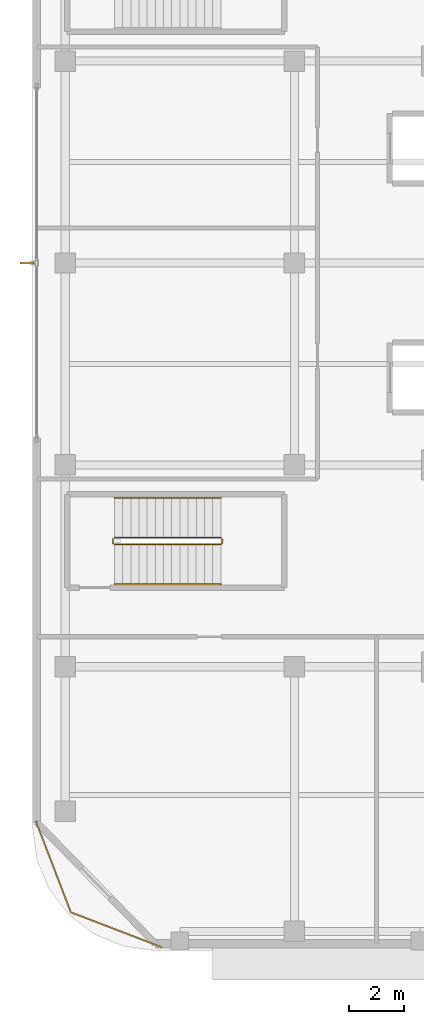
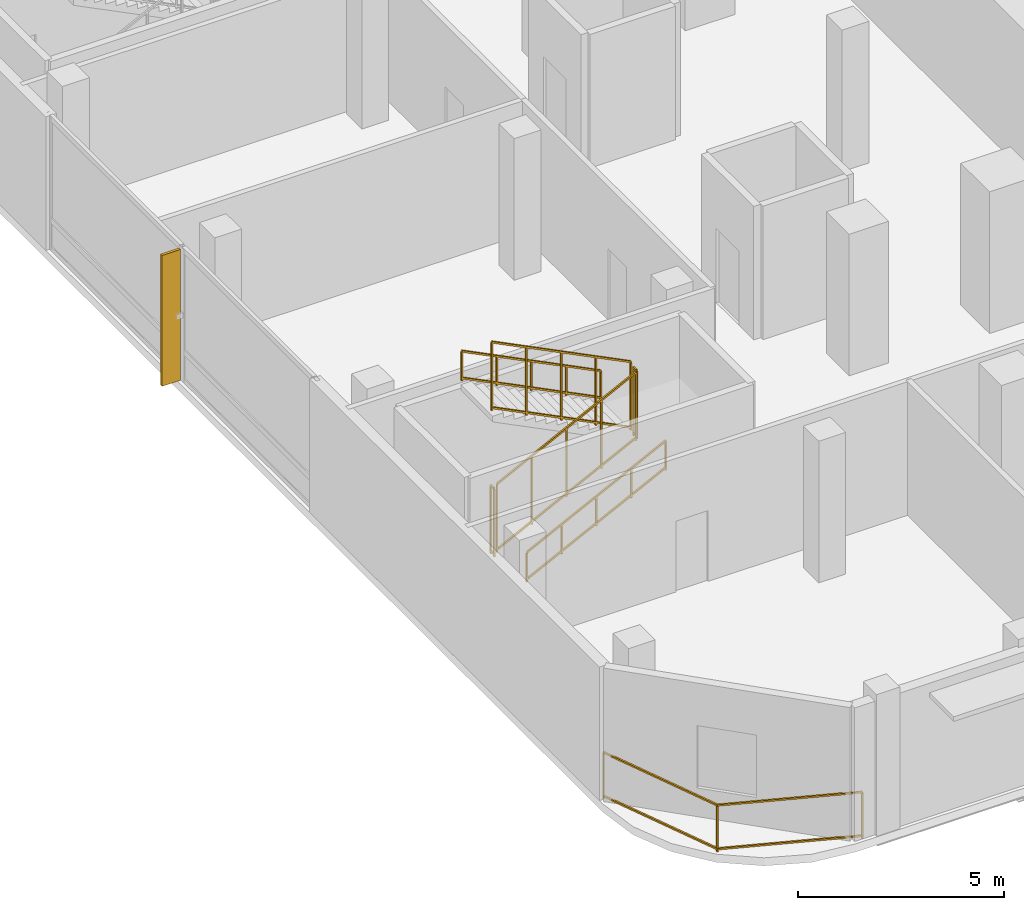
# One storey, part 13 of 19: 7 railings, 1 shading device.
"""IFC4 building model written with IfcOpenShell, lengths in metres."""

from ifc_helpers import new_model, si_unit, direction, frame, origin, origin_2d, place, context, subcontext, project, spatial, rectangle, extrude, material, layer, layer_set, type_object, element, save


model = new_model("IFC4")

# Units and contexts
model_context = context("Model", 3, precision=1e-05, world=origin(), true_north=direction((0.0, 1.0)))
body_context = subcontext(model_context, "Body", "Model", "MODEL_VIEW")
ifc_project = project(units=[si_unit("LENGTHUNIT", "METRE"), si_unit("AREAUNIT", "SQUARE_METRE"), si_unit("VOLUMEUNIT", "CUBIC_METRE"), si_unit("PLANEANGLEUNIT", "RADIAN"), si_unit("MASSUNIT", "GRAM", prefix="KILO")], contexts=[model_context])

# Site, building, storey
site_placement = place(None, origin())
site = spatial("IfcSite", under=ifc_project, at=site_placement, CompositionType="ELEMENT")
building_placement = place(site_placement, origin())
building = spatial("IfcBuilding", under=site, at=building_placement, Name="Khorvyn Point Tower", CompositionType="ELEMENT")
storey_placement = place(building_placement, frame((0.0, 0.0, 17.39990234375)))
storey = spatial("IfcBuildingStorey", under=building, at=storey_placement, Name="L05", CompositionType="ELEMENT", Elevation=17.39990234375)

# Shading device
ifc_material_1 = material(Name="Bronze anodised aluminium 6063-T6", Category="aluminium")
ifc_layer = layer(ifc_material_1, 0.074951171875)
ifc_layer_set = layer_set([ifc_layer], Name="Bronze Anodised Aluminium FIN 520x75")
shading_device_type = type_object("IfcShadingDeviceType", Name="Bronze Anodised Aluminium FIN 520x75", PredefinedType="USERDEFINED", material=ifc_layer_set)
shading_device_placement = place(storey_placement, frame((-33.800048828125, 0.0, 0.0400390625), z_axis=(0.0, 0.0, 1.0), x_axis=(-1.0, 0.0, 0.0)))
element("IfcShadingDevice", 1, at=shading_device_placement, inside=storey, type_object=shading_device_type, Name="L05 Anodised FIN 01", ObjectType="FIN", PredefinedType="USERDEFINED", context=body_context, shape_type="SweptSolid", body=[
    extrude(rectangle(XDim=0.52001953125, YDim=0.074951171875, at=origin_2d()), origin(), (0.0, 0.0, 1.0), 3.8798828125),
])

# Railings
ifc_material_2 = material(Name="Anodised aluminium 6063-T6 and laminated safety glass", Category="aluminium")
railing_type_1 = type_object("IfcRailingType", Name="Laminated Glass and Aluminium Balcony Guardrail 1400", PredefinedType="BALUSTRADE", material=ifc_material_2)
railing_1_placement = place(storey_placement, frame((-33.47412109375, -20.470703125, 0.0)))
element("IfcRailing", 2, at=railing_1_placement, inside=storey, type_object=railing_type_1, Name="L05 Rounded Corner Edge Guardrail SW", PredefinedType="BALUSTRADE", context=body_context, shape_type="SweptSolid", body=[
    extrude(rectangle(XDim=0.048095703125, YDim=0.048095703125, at=origin_2d()), frame((0.0, 0.0, 1.3759765625), z_axis=(0.35841886047, -0.933560882031, 0.0), x_axis=(0.933560882031, 0.35841886047, 0.0)), (0.0, 0.0, 1.0), 3.563232421875),
    extrude(rectangle(XDim=0.048095703125, YDim=0.048095703125, at=origin_2d()), frame((0.0, 0.0, 0.080078125), z_axis=(0.35841886047, -0.933560882031, 0.0), x_axis=(0.933560882031, 0.35841886047, 0.0)), (0.0, 0.0, 1.0), 3.563232421875),
    extrude(rectangle(XDim=0.048095703125, YDim=0.048095703125, at=origin_2d()), frame((1.277099609375, -3.326416015625, 1.3759765625), z_axis=(0.933575007025, -0.358382067435, 0.0), x_axis=(0.358382067435, 0.933575007025, 0.0)), (0.0, 0.0, 1.0), 3.562744140625),
    extrude(rectangle(XDim=0.048095703125, YDim=0.048095703125, at=origin_2d()), frame((1.277099609375, -3.326416015625, 0.080078125), z_axis=(0.933575007025, -0.358382067435, 0.0), x_axis=(0.358382067435, 0.933575007025, 0.0)), (0.0, 0.0, 1.0), 3.562744140625),
    extrude(rectangle(XDim=0.0419921875, YDim=0.0419921875, at=origin_2d()), origin(), (0.0, 0.0, 1.0), 1.351806640625),
    extrude(rectangle(XDim=0.0419921875, YDim=0.0419921875, at=origin_2d()), frame((1.277099609375, -3.326416015625, 0.0)), (0.0, 0.0, 1.0), 1.351806640625),
    extrude(rectangle(XDim=0.0419921875, YDim=0.0419921875, at=origin_2d()), frame((4.603271484375, -4.603271484375, 0.0)), (0.0, 0.0, 1.0), 1.351806640625),
])
ifc_material_3 = material(Name="Stainless steel 1.4301", Category="steel")
railing_type_2 = type_object("IfcRailingType", Name="Stainless Steel 304 Stair Pitch Handrail 900", PredefinedType="HANDRAIL", material=ifc_material_3)
railing_2_placement = place(storey_placement, frame((-30.60009765625, -11.77001953125, 0.150146484375)))
element("IfcRailing", 3, at=railing_2_placement, inside=storey, type_object=railing_type_2, Name="L05 ST-S1 stair handrail 1", PredefinedType="HANDRAIL", context=body_context, shape_type="SweptSolid", body=[
    extrude(rectangle(XDim=0.048095703125, YDim=0.048095703125, at=origin_2d()), frame((0.0, 0.0, 0.8759765625), z_axis=(0.894438388696, 0.0, 0.447191199406), x_axis=(0.0, 1.0, 0.0)), (0.0, 0.0, 1.0), 4.3603515625),
    extrude(rectangle(XDim=0.048095703125, YDim=0.048095703125, at=origin_2d()), frame((0.0, 0.0, 0.080078125), z_axis=(0.894438388696, 0.0, 0.447191199406), x_axis=(0.0, 1.0, 0.0)), (0.0, 0.0, 1.0), 4.3603515625),
    extrude(rectangle(XDim=0.0419921875, YDim=0.0419921875, at=origin_2d()), origin(), (0.0, 0.0, 1.0), 0.851806640625),
    extrude(rectangle(XDim=0.0419921875, YDim=0.0419921875, at=origin_2d()), frame((0.97509765625, 0.0, 0.487548828125)), (0.0, 0.0, 1.0), 0.851806640625),
    extrude(rectangle(XDim=0.0419921875, YDim=0.0419921875, at=origin_2d()), frame((1.9501953125, 0.0, 0.97509765625)), (0.0, 0.0, 1.0), 0.851806640625),
    extrude(rectangle(XDim=0.0419921875, YDim=0.0419921875, at=origin_2d()), frame((2.925048828125, 0.0, 1.46240234375)), (0.0, 0.0, 1.0), 0.851806640625),
    extrude(rectangle(XDim=0.0419921875, YDim=0.0419921875, at=origin_2d()), frame((3.900146484375, 0.0, 1.949951171875)), (0.0, 0.0, 1.0), 0.851806640625),
])
railing_3_placement = place(storey_placement, frame((-26.699951171875, -8.610107421875, 2.25)))
element("IfcRailing", 4, at=railing_3_placement, inside=storey, type_object=railing_type_2, Name="L05 ST-S1 stair handrail 2", PredefinedType="HANDRAIL", context=body_context, shape_type="SweptSolid", body=[
    extrude(rectangle(XDim=0.048095703125, YDim=0.048095703125, at=origin_2d()), frame((0.0, 0.0, 0.8759765625), z_axis=(-0.894415993023, 0.0, 0.447235990752), x_axis=(0.0, -1.0, 0.0)), (0.0, 0.0, 1.0), 4.360595703125),
    extrude(rectangle(XDim=0.048095703125, YDim=0.048095703125, at=origin_2d()), frame((0.0, 0.0, 0.080078125), z_axis=(-0.894415993023, 0.0, 0.447235990752), x_axis=(0.0, -1.0, 0.0)), (0.0, 0.0, 1.0), 4.360595703125),
    extrude(rectangle(XDim=0.0419921875, YDim=0.0419921875, at=origin_2d()), origin(), (0.0, 0.0, 1.0), 0.851806640625),
    extrude(rectangle(XDim=0.0419921875, YDim=0.0419921875, at=origin_2d()), frame((-0.97509765625, 0.0, 0.487548828125)), (0.0, 0.0, 1.0), 0.851806640625),
    extrude(rectangle(XDim=0.0419921875, YDim=0.0419921875, at=origin_2d()), frame((-1.9501953125, 0.0, 0.97509765625)), (0.0, 0.0, 1.0), 0.851806640625),
    extrude(rectangle(XDim=0.0419921875, YDim=0.0419921875, at=origin_2d()), frame((-2.925048828125, 0.0, 1.462646484375)), (0.0, 0.0, 1.0), 0.851806640625),
    extrude(rectangle(XDim=0.0419921875, YDim=0.0419921875, at=origin_2d()), frame((-3.900146484375, 0.0, 1.9501953125)), (0.0, 0.0, 1.0), 0.851806640625),
])
railing_type_3 = type_object("IfcRailingType", Name="Stainless Steel 304 Stair Well Guardrail 1400", PredefinedType="GUARDRAIL", material=ifc_material_3)
railing_4_placement = place(storey_placement, frame((-30.60009765625, -10.320068359375, 0.150146484375)))
element("IfcRailing", 5, at=railing_4_placement, inside=storey, type_object=railing_type_3, Name="L05 ST-S1 stair guard 1", PredefinedType="GUARDRAIL", context=body_context, shape_type="SweptSolid", body=[
    extrude(rectangle(XDim=0.048095703125, YDim=0.048095703125, at=origin_2d()), frame((0.0, 0.0, 2.02587890625), z_axis=(0.894438388696, 0.0, 0.447191199406), x_axis=(0.0, 1.0, 0.0)), (0.0, 0.0, 1.0), 4.3603515625),
    extrude(rectangle(XDim=0.048095703125, YDim=0.048095703125, at=origin_2d()), frame((0.0, 0.0, 0.080078125), z_axis=(0.894438388696, 0.0, 0.447191199406), x_axis=(0.0, 1.0, 0.0)), (0.0, 0.0, 1.0), 4.3603515625),
    extrude(rectangle(XDim=0.0419921875, YDim=0.0419921875, at=origin_2d()), origin(), (0.0, 0.0, 1.0), 2.001953125),
    extrude(rectangle(XDim=0.0419921875, YDim=0.0419921875, at=origin_2d()), frame((0.97509765625, 0.0, 0.487548828125)), (0.0, 0.0, 1.0), 2.001953125),
    extrude(rectangle(XDim=0.0419921875, YDim=0.0419921875, at=origin_2d()), frame((1.9501953125, 0.0, 0.97509765625)), (0.0, 0.0, 1.0), 2.001953125),
    extrude(rectangle(XDim=0.0419921875, YDim=0.0419921875, at=origin_2d()), frame((2.925048828125, 0.0, 1.46240234375)), (0.0, 0.0, 1.0), 2.001953125),
    extrude(rectangle(XDim=0.0419921875, YDim=0.0419921875, at=origin_2d()), frame((3.900146484375, 0.0, 1.949951171875)), (0.0, 0.0, 1.0), 2.001953125),
])
railing_5_placement = place(storey_placement, frame((-26.64990234375, -10.27001953125, 2.10009765625)))
element("IfcRailing", 6, at=railing_5_placement, inside=storey, type_object=railing_type_3, Name="L05 ST-S1 stair guard 2", PredefinedType="GUARDRAIL", context=body_context, shape_type="SweptSolid", body=[
    extrude(rectangle(XDim=0.048095703125, YDim=0.048095703125, at=origin_2d()), frame((0.0, 0.0, 2.02587890625), z_axis=(0.0, 1.0, 0.0), x_axis=(-1.0, 0.0, 0.0)), (0.0, 0.0, 1.0), 0.159912109375),
    extrude(rectangle(XDim=0.048095703125, YDim=0.048095703125, at=origin_2d()), frame((0.0, 0.0, 0.080078125), z_axis=(0.0, 1.0, 0.0), x_axis=(-1.0, 0.0, 0.0)), (0.0, 0.0, 1.0), 0.159912109375),
    extrude(rectangle(XDim=0.0419921875, YDim=0.0419921875, at=origin_2d()), origin(), (0.0, 0.0, 1.0), 2.001953125),
    extrude(rectangle(XDim=0.0419921875, YDim=0.0419921875, at=origin_2d()), frame((0.0, 0.159912109375, 0.0)), (0.0, 0.0, 1.0), 2.001953125),
])
railing_6_placement = place(storey_placement, frame((-26.699951171875, -10.06005859375, 2.25)))
element("IfcRailing", 7, at=railing_6_placement, inside=storey, type_object=railing_type_3, Name="L05 ST-S1 stair guard 3", PredefinedType="GUARDRAIL", context=body_context, shape_type="SweptSolid", body=[
    extrude(rectangle(XDim=0.048095703125, YDim=0.048095703125, at=origin_2d()), frame((0.0, 0.0, 2.02587890625), z_axis=(-0.894415993023, 0.0, 0.447235990752), x_axis=(0.0, -1.0, 0.0)), (0.0, 0.0, 1.0), 4.360595703125),
    extrude(rectangle(XDim=0.048095703125, YDim=0.048095703125, at=origin_2d()), frame((0.0, 0.0, 0.080078125), z_axis=(-0.894415993023, 0.0, 0.447235990752), x_axis=(0.0, -1.0, 0.0)), (0.0, 0.0, 1.0), 4.360595703125),
    extrude(rectangle(XDim=0.0419921875, YDim=0.0419921875, at=origin_2d()), origin(), (0.0, 0.0, 1.0), 2.001953125),
    extrude(rectangle(XDim=0.0419921875, YDim=0.0419921875, at=origin_2d()), frame((-0.97509765625, 0.0, 0.487548828125)), (0.0, 0.0, 1.0), 2.001953125),
    extrude(rectangle(XDim=0.0419921875, YDim=0.0419921875, at=origin_2d()), frame((-1.9501953125, 0.0, 0.97509765625)), (0.0, 0.0, 1.0), 2.001953125),
    extrude(rectangle(XDim=0.0419921875, YDim=0.0419921875, at=origin_2d()), frame((-2.925048828125, 0.0, 1.462646484375)), (0.0, 0.0, 1.0), 2.001953125),
    extrude(rectangle(XDim=0.0419921875, YDim=0.0419921875, at=origin_2d()), frame((-3.900146484375, 0.0, 1.9501953125)), (0.0, 0.0, 1.0), 2.001953125),
])
railing_7_placement = place(storey_placement, frame((-30.64990234375, -10.27001953125, 0.0)))
element("IfcRailing", 8, at=railing_7_placement, inside=storey, type_object=railing_type_3, Name="L05 ST-S1 stair guard 4", PredefinedType="GUARDRAIL", context=body_context, shape_type="SweptSolid", body=[
    extrude(rectangle(XDim=0.048095703125, YDim=0.048095703125, at=origin_2d()), frame((0.0, 0.0, 2.02587890625), z_axis=(0.0, 1.0, 0.0), x_axis=(-1.0, 0.0, 0.0)), (0.0, 0.0, 1.0), 0.159912109375),
    extrude(rectangle(XDim=0.048095703125, YDim=0.048095703125, at=origin_2d()), frame((0.0, 0.0, 0.080078125), z_axis=(0.0, 1.0, 0.0), x_axis=(-1.0, 0.0, 0.0)), (0.0, 0.0, 1.0), 0.159912109375),
    extrude(rectangle(XDim=0.0419921875, YDim=0.0419921875, at=origin_2d()), origin(), (0.0, 0.0, 1.0), 2.001953125),
    extrude(rectangle(XDim=0.0419921875, YDim=0.0419921875, at=origin_2d()), frame((0.0, 0.159912109375, 0.0)), (0.0, 0.0, 1.0), 2.001953125),
])

save(model, "model.ifc")
